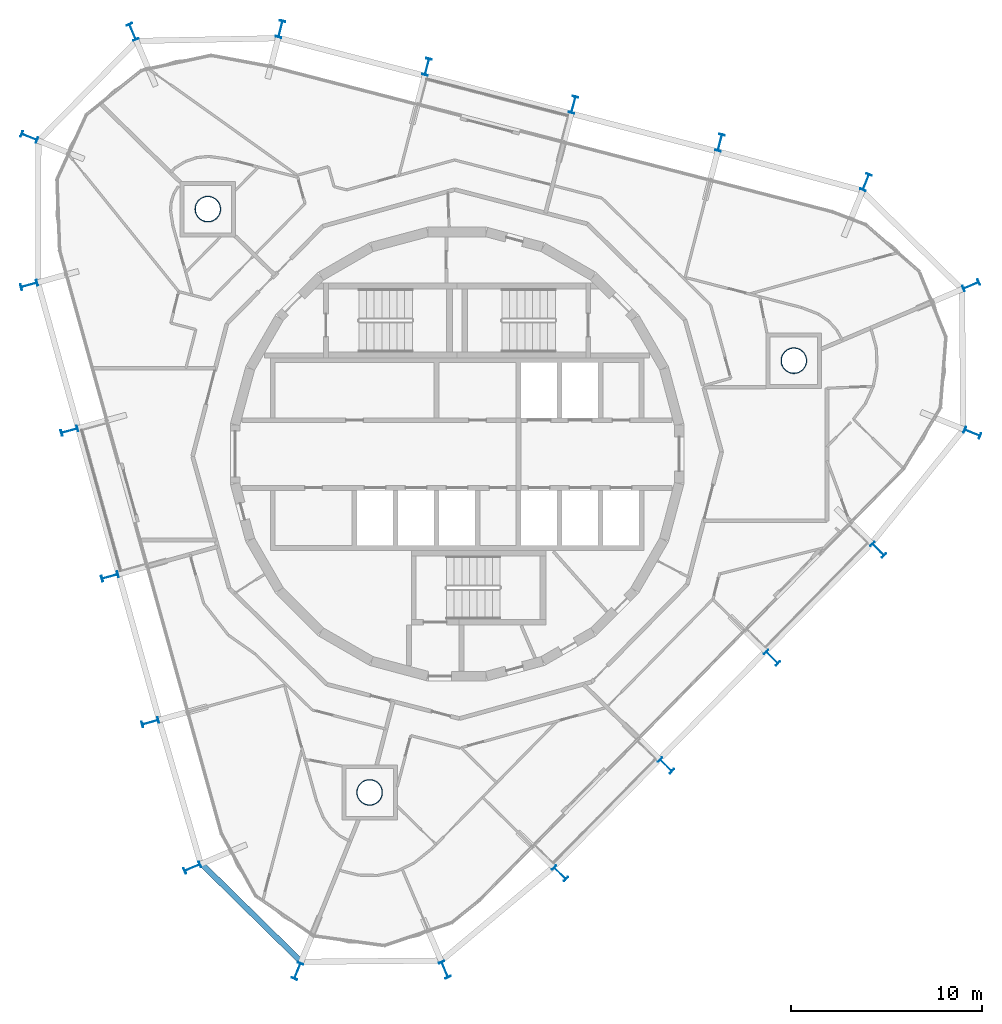
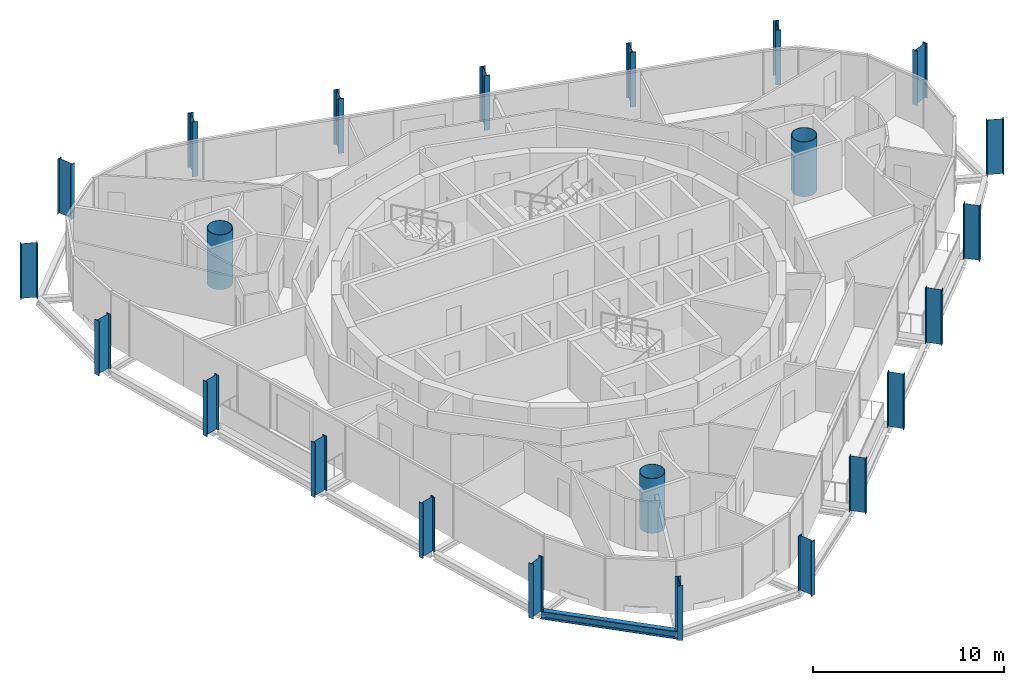
# One storey, part 1 of 15: 23 columns, 1 beam.
"""IFC4 building model written with IfcOpenShell, lengths in metres."""

from ifc_helpers import new_model, si_unit, direction, frame, origin, origin_2d, place, context, subcontext, project, spatial, hollow_circle, i_section, extrude, material, material_profile, profile_set, type_object, element, save


model = new_model("IFC4")

# Units and contexts
model_context = context("Model", 3, precision=1e-05, world=origin(), true_north=direction((0.0, 1.0)))
body_context = subcontext(model_context, "Body", "Model", "MODEL_VIEW")
ifc_project = project(units=[si_unit("LENGTHUNIT", "METRE"), si_unit("AREAUNIT", "SQUARE_METRE"), si_unit("VOLUMEUNIT", "CUBIC_METRE"), si_unit("PLANEANGLEUNIT", "RADIAN"), si_unit("MASSUNIT", "GRAM", prefix="KILO")], contexts=[model_context])

# Site, building, storey
site_placement = place(None, origin())
site = spatial("IfcSite", under=ifc_project, at=site_placement, CompositionType="ELEMENT")
building_placement = place(site_placement, origin())
building = spatial("IfcBuilding", under=site, at=building_placement, Name="Spindle Arch Residences", CompositionType="ELEMENT")
storey_placement = place(building_placement, frame((0.0, 0.0, 305.199951171875)))
storey = spatial("IfcBuildingStorey", under=building, at=storey_placement, Name="L78", CompositionType="ELEMENT", Elevation=305.199951171875)

# Columns
ifc_material_1 = material(Name="Steel S460ML, intumescent coating R 240", Category="steel")
ifc_material_profile_1 = material_profile(ifc_material_1, i_section(OverallWidth=0.300048828125, OverallDepth=0.89990234375, WebThickness=0.0185546875, FlangeThickness=0.034912109375, FilletRadius=0.030029296875, at=origin_2d()), Name="HEB 900")
ifc_profile_set_1 = profile_set([ifc_material_profile_1], Name="Steel S460ML, intumescent coating R 240")
column_type_1 = type_object("IfcColumnType", Name="Exoskeleton post HEB 900", PredefinedType="COLUMN", material=ifc_profile_set_1)
for number, where, z_axis, x_axis, name in (
    (1, (16.521484375, -10.6728515625, -0.3798828125), (0.0, 0.0, 1.0), (-0.70090935439, -0.713250360623, 0.0), "Exoskeleton post 1"),
    (2, (22.083251953125, -5.01318359375, -0.3798828125), (0.0, 0.0, 1.0), (-0.70090935439, -0.713250360623, 0.0), "Exoskeleton post 2"),
    (3, (27.0263671875, 1.11279296875, -0.3798828125), (0.0, 0.0, 1.0), (-0.374802818249, -0.927104550433, 0.0), "Exoskeleton post 3"),
    (4, (26.959716796875, 8.84521484375, -0.3798828125), (0.0, 0.0, 1.0), (0.390770126794, -0.920488298679, 0.0), "Exoskeleton post 4"),
    (5, (21.443359375, 14.263916015625, -0.3798828125), (0.0, 0.0, 1.0), (0.927294785217, -0.374331913293, 0.0), "Exoskeleton post 5"),
    (6, (13.7861328125, 16.3330078125, -0.3798828125), (0.0, 0.0, 1.0), (0.968147663906, -0.250379913079, 0.0), "Exoskeleton post 6"),
    (7, (6.10400390625, 18.31982421875, -0.3798828125), (0.0, 0.0, 1.0), (0.968147663906, -0.250379913079, 0.0), "Exoskeleton post 7"),
    (8, (-1.57861328125, 20.306640625, -0.3798828125), (0.0, 0.0, 1.0), (0.968147663906, -0.250379913079, 0.0), "Exoskeleton post 8"),
    (9, (-9.2607421875, 22.29345703125, -0.3798828125), (0.0, 0.0, 1.0), (0.968147663906, -0.250379913079, 0.0), "Exoskeleton post 9"),
    (10, (-17.0185546875, 22.144775390625, -0.3798828125), (0.0, 0.0, 1.0), (0.920554476886, 0.39061420236, 0.0), "Exoskeleton post 10"),
    (11, (-22.4384765625, 16.62939453125, -0.3798828125), (0.0, 0.0, 1.0), (0.374489123858, 0.927231306693, 0.0), "Exoskeleton post 11"),
    (12, (-22.45166015625, 8.870361328125, -0.3798828125), (0.0, 0.0, 1.0), (-0.267238143562, 0.963630517691, 0.0), "Exoskeleton post 12"),
    (13, (-20.3310546875, 1.223876953125, -0.3798828125), (0.0, 0.0, 1.0), (-0.267238143562, 0.963630517691, 0.0), "Exoskeleton post 13"),
    (14, (-18.210693359375, -6.422607421875, -0.3798828125), (0.0, 0.0, 1.0), (-0.267238143562, 0.963630517691, 0.0), "Exoskeleton post 14"),
    (15, (-16.090087890625, -14.069091796875, -0.3798828125), (0.0, 0.0, 1.0), (-0.267238143562, 0.963630517691, 0.0), "Exoskeleton post 15"),
    (16, (-13.887451171875, -21.68896484375, -0.3798828125), (0.0, 0.0, 1.0), (-0.390457907184, 0.920620781167, 0.0), "Exoskeleton post 16"),
    (17, (-8.373291015625, -27.10986328125, -0.3798828125), (0.0, 0.0, 1.0), (-0.9271679418, 0.374645976487, 0.0), "Exoskeleton post 17"),
    (18, (-0.640869140625, -27.041748046875, -0.3798828125), (0.0, 0.0, 1.0), (-0.920422094083, -0.390926039967, 0.0), "Exoskeleton post 18"),
    (19, (5.397705078125, -21.9921875, -0.3798828125), (0.0, 0.0, 1.0), (-0.70090935439, -0.713250360623, 0.0), "Exoskeleton post 19"),
    (20, (10.959716796875, -16.33251953125, -0.3798828125), (0.0, 0.0, 1.0), (-0.70090935439, -0.713250360623, 0.0), "Exoskeleton post 20"),
):
    element("IfcColumn", number, at=place(storey_placement, frame(where, z_axis=z_axis, x_axis=x_axis)), inside=storey, type_object=column_type_1, Name=name, PredefinedType="COLUMN", context=body_context, shape_type="SweptSolid", body=[
        extrude(i_section(OverallWidth=0.300048828125, OverallDepth=0.89990234375, WebThickness=0.0185546875, FlangeThickness=0.034912109375, FilletRadius=0.030029296875, at=origin_2d()), origin(), (0.0, 0.0, 1.0), 3.5),
    ])
ifc_material_2 = material(Name="Concrete C50/60 filled steel tube S460ML, intumescent coating R 240", Category="concrete")
ifc_material_profile_2 = material_profile(ifc_material_2, hollow_circle(Radius=0.675048828125, WallThickness=0.030029296875, at=origin_2d()), Name="CFT D1350x30")
ifc_profile_set_2 = profile_set([ifc_material_profile_2], Name="Concrete C50/60 filled steel tube S460ML, intumescent coating R 240")
column_type_2 = type_object("IfcColumnType", Name="Mega-column CFT D1350x30", PredefinedType="COLUMN", material=ifc_profile_set_2)
for number, where, z_axis, x_axis, name in (
    (21, (17.66259765625, 4.898193359375, -0.3798828125), (0.0, 0.0, 1.0), (1.0, 0.0, 0.0), "Mega-column 1"),
    (22, (-13.0732421875, 12.84716796875, -0.3798828125), (0.0, 0.0, 1.0), (1.0, 0.0, 0.0), "Mega-column 2"),
    (23, (-4.58935546875, -17.745361328125, -0.3798828125), (0.0, 0.0, 1.0), (1.0, 0.0, 0.0), "Mega-column 3"),
):
    element("IfcColumn", number, at=place(storey_placement, frame(where, z_axis=z_axis, x_axis=x_axis)), inside=storey, type_object=column_type_2, Name=name, PredefinedType="COLUMN", context=body_context, shape_type="SweptSolid", body=[
        extrude(hollow_circle(Radius=0.675048828125, WallThickness=0.030029296875, at=origin_2d()), origin(), (0.0, 0.0, 1.0), 3.5),
    ])

# Beam
ifc_material_3 = material(Name="Steel S460ML, intumescent coating R 120", Category="steel")
ifc_material_profile_3 = material_profile(ifc_material_3, i_section(OverallWidth=0.300048828125, OverallDepth=0.5, WebThickness=0.014404296875, FlangeThickness=0.028076171875, FilletRadius=0.027099609375, at=origin_2d()), Name="HEB 500")
ifc_profile_set_3 = profile_set([ifc_material_profile_3], Name="Steel S460ML, intumescent coating R 120")
beam_type = type_object("IfcBeamType", Name="Exoskeleton edge beam HEB 500", PredefinedType="BEAM", material=ifc_profile_set_3)
beam_placement = place(storey_placement, frame((-13.458251953125, -21.437744140625, -0.6298828125), z_axis=(0.713108879245, -0.701053297789, 0.0), x_axis=(0.701053297789, 0.713108879245, 0.0)))
element("IfcBeam", 24, at=beam_placement, inside=storey, type_object=beam_type, Name="Exoskeleton edge beam 16", PredefinedType="BEAM", context=body_context, shape_type="SweptSolid", body=[
    extrude(i_section(OverallWidth=0.300048828125, OverallDepth=0.5, WebThickness=0.014404296875, FlangeThickness=0.028076171875, FilletRadius=0.027099609375, at=origin_2d()), origin(), (0.0, 0.0, 1.0), 7.47265625),
])

save(model, "model.ifc")
